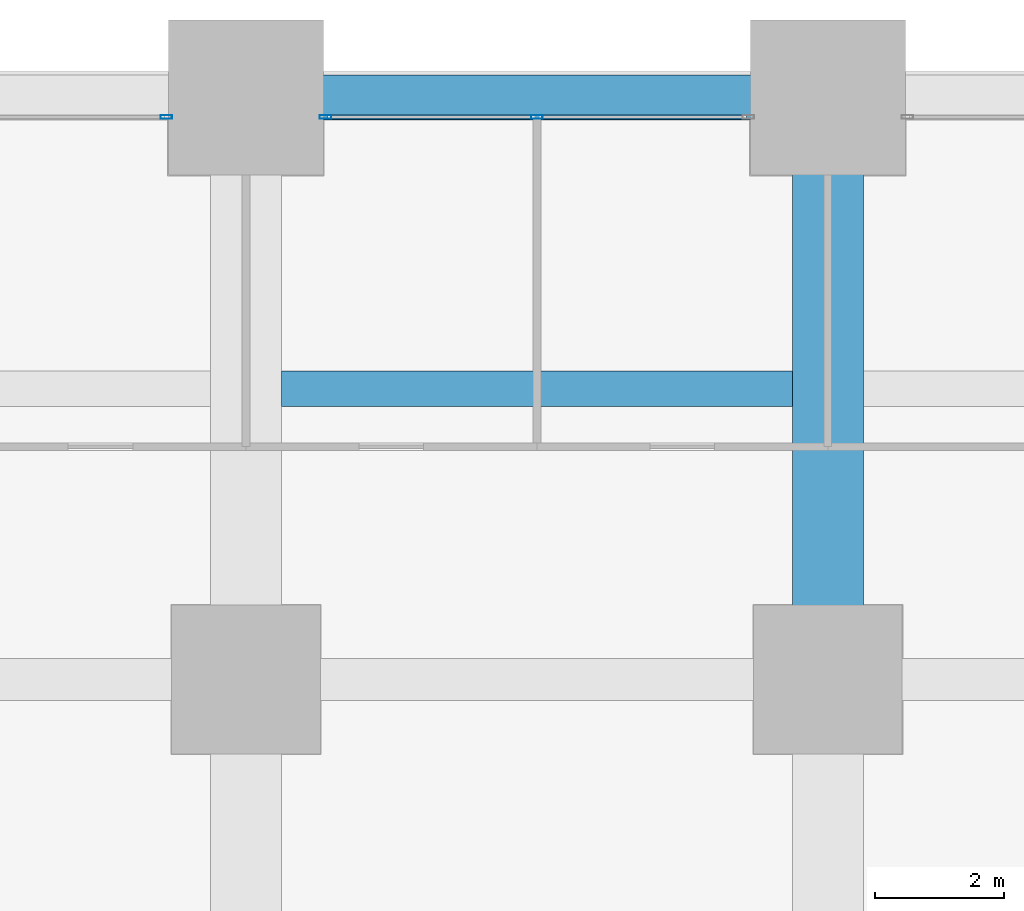
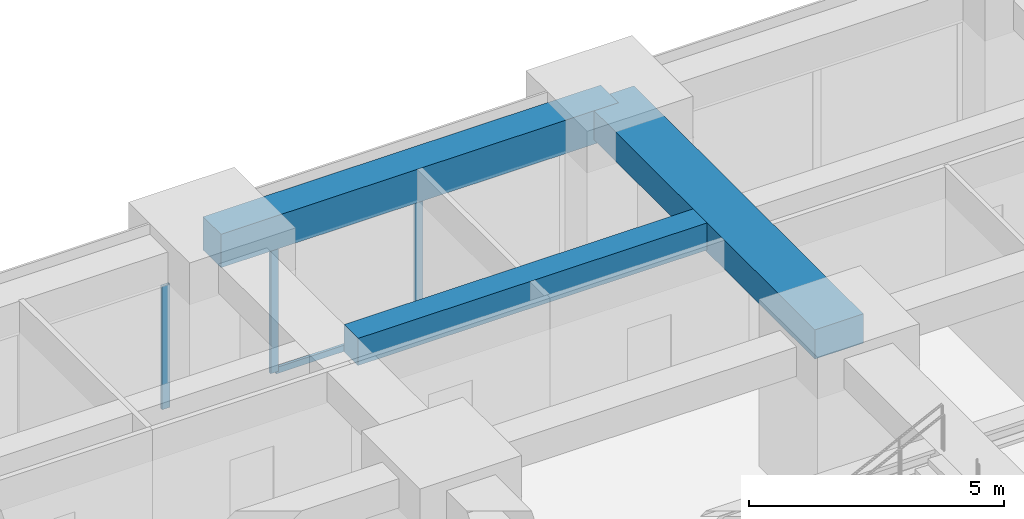
# One storey, part 29 of 45: 4 members, 3 beams, 2 elements without a shape of their own.
"""IFC4 building model written with IfcOpenShell, lengths in metres."""

from ifc_helpers import new_model, si_unit, direction, frame, origin, origin_2d, place, context, subcontext, project, spatial, rectangle, hollow_rectangle, extrude, material, material_profile, profile_set, type_object, element, aggregate, save


model = new_model("IFC4")

# Units and contexts
model_context = context("Model", 3, precision=1e-05, world=origin(), true_north=direction((0.0, 1.0)))
body_context = subcontext(model_context, "Body", "Model", "MODEL_VIEW")
ifc_project = project(units=[si_unit("LENGTHUNIT", "METRE"), si_unit("AREAUNIT", "SQUARE_METRE"), si_unit("VOLUMEUNIT", "CUBIC_METRE"), si_unit("PLANEANGLEUNIT", "RADIAN"), si_unit("MASSUNIT", "GRAM", prefix="KILO")], contexts=[model_context])

# Site, building, storey
site_placement = place(None, origin())
site = spatial("IfcSite", under=ifc_project, at=site_placement, CompositionType="ELEMENT")
building_placement = place(site_placement, origin())
building = spatial("IfcBuilding", under=site, at=building_placement, Name="Zorevar Civic Tower", CompositionType="ELEMENT")
storey_placement = place(building_placement, frame((0.0, 0.0, 39.800048828125)))
storey = spatial("IfcBuildingStorey", under=building, at=storey_placement, Name="L09", CompositionType="ELEMENT", Elevation=39.800048828125)

# Beams
ifc_material_1 = material(Name="Concrete C50/60", Category="concrete")
ifc_material_profile_1 = material_profile(ifc_material_1, rectangle(XDim=1.10009765625, YDim=0.699951171875, at=origin_2d()), Name="RC 1100x700")
ifc_profile_set_1 = profile_set([ifc_material_profile_1], Name="Concrete C50/60")
beam_type_1 = type_object("IfcBeamType", Name="Beam RC 1100x700", PredefinedType="BEAM", material=ifc_profile_set_1)
beam_1_placement = place(storey_placement, frame((27.0, 45.0, 3.39990234375), z_axis=(0.0, 1.0, 0.0), x_axis=(-1.0, 0.0, 0.0)))
element("IfcBeam", 1, at=beam_1_placement, inside=storey, type_object=beam_type_1, Name="Girder L10", PredefinedType="BEAM", context=body_context, shape_type="SweptSolid", body=[
    extrude(rectangle(XDim=1.10009765625, YDim=0.699951171875, at=origin_2d()), origin(), (0.0, 0.0, 1.0), 9.0),
])
ifc_material_2 = material(Name="Concrete C50/60", Category="concrete")
ifc_material_profile_2 = material_profile(ifc_material_2, rectangle(XDim=0.550048828125, YDim=0.64990234375, at=origin_2d()), Name="RC 550x650")
ifc_profile_set_2 = profile_set([ifc_material_profile_2], Name="Concrete C50/60")
beam_type_2 = type_object("IfcBeamType", Name="Beam RC 550x650", PredefinedType="BEAM", material=ifc_profile_set_2)
beam_2_placement = place(storey_placement, frame((18.550048828125, 49.5, 3.425048828125), z_axis=(1.0, 0.0, 0.0), x_axis=(0.0, 1.0, 0.0)))
element("IfcBeam", 2, at=beam_2_placement, inside=storey, type_object=beam_type_2, Name="Secondary beam L10", PredefinedType="BEAM", context=body_context, shape_type="SweptSolid", body=[
    extrude(rectangle(XDim=0.550048828125, YDim=0.64990234375, at=origin_2d()), origin(), (0.0, 0.0, 1.0), 7.89990234375),
])

# Curtain wall, member
ifc_material_3 = material(Name="Dark grey solar-control glass in black aluminium frame", Category="aluminium")
curtain_wall_type = type_object("IfcCurtainWallType", Name="Curtain wall CW2 low zone", PredefinedType="NOTDEFINED", material=ifc_material_3)
curtain_wall_1_placement = place(storey_placement, origin())
curtain_wall_1 = element("IfcCurtainWall", 3, at=curtain_wall_1_placement, inside=storey, type_object=curtain_wall_type, Name="CW2 L09", PredefinedType="NOTDEFINED")
ifc_material_4 = material(Name="Aluminium, black anodised", Category="aluminium")
ifc_material_profile_3 = material_profile(ifc_material_4, hollow_rectangle(XDim=0.06005859375, YDim=0.179931640625, WallThickness=0.00390625, at=origin_2d()), Name="AL 180x60x4")
ifc_profile_set_3 = profile_set([ifc_material_profile_3], Name="Aluminium, black anodised")
member_type_1 = type_object("IfcMemberType", Name="CW2 mullion AL 180x60x4", PredefinedType="MULLION", material=ifc_profile_set_3)
member_1_placement = place(storey_placement, frame((16.77001953125, 53.699951171875, 0.0), z_axis=(0.0, 0.0, 1.0), x_axis=(0.0, 1.0, 0.0)))
member_1 = element("IfcMember", 4, at=member_1_placement, type_object=member_type_1, Name="CW2 mullion 3", PredefinedType="MULLION", context=body_context, shape_type="SweptSolid", body=[
    extrude(hollow_rectangle(XDim=0.06005859375, YDim=0.179931640625, WallThickness=0.00390625, at=origin_2d()), origin(), (0.0, 0.0, 1.0), 2.949951171875),
])
aggregate(curtain_wall_1, [member_1])

# Curtain wall, members
curtain_wall_2_placement = place(storey_placement, origin())
curtain_wall_2 = element("IfcCurtainWall", 5, at=curtain_wall_2_placement, inside=storey, type_object=curtain_wall_type, Name="CW2 L09", PredefinedType="NOTDEFINED")
member_2_placement = place(storey_placement, frame((19.22998046875, 53.699951171875, 0.0), z_axis=(0.0, 0.0, 1.0), x_axis=(0.0, 1.0, 0.0)))
member_2 = element("IfcMember", 6, at=member_2_placement, type_object=member_type_1, Name="CW2 mullion 1", PredefinedType="MULLION", context=body_context, shape_type="SweptSolid", body=[
    extrude(hollow_rectangle(XDim=0.06005859375, YDim=0.179931640625, WallThickness=0.00390625, at=origin_2d()), origin(), (0.0, 0.0, 1.0), 2.949951171875),
])
member_3_placement = place(storey_placement, frame((22.5, 53.699951171875, 0.06005859375), z_axis=(0.0, 0.0, 1.0), x_axis=(0.0, 1.0, 0.0)))
member_3 = element("IfcMember", 7, at=member_3_placement, type_object=member_type_1, Name="CW2 mullion 2", PredefinedType="MULLION", context=body_context, shape_type="SweptSolid", body=[
    extrude(hollow_rectangle(XDim=0.06005859375, YDim=0.179931640625, WallThickness=0.00390625, at=origin_2d()), origin(), (0.0, 0.0, 1.0), 2.889892578125),
])
ifc_material_5 = material(Name="Aluminium, black anodised", Category="aluminium")
ifc_material_profile_4 = material_profile(ifc_material_5, hollow_rectangle(XDim=0.06005859375, YDim=0.14990234375, WallThickness=0.00390625, at=origin_2d()), Name="AL 150x60x4")
ifc_profile_set_4 = profile_set([ifc_material_profile_4], Name="Aluminium, black anodised")
member_type_2 = type_object("IfcMemberType", Name="CW2 transom AL 150x60x4", PredefinedType="USERDEFINED", material=ifc_profile_set_4)
member_4_placement = place(storey_placement, frame((19.260009765625, 53.699951171875, 0.030029296875), z_axis=(1.0, 0.0, 0.0), x_axis=(0.0, 1.0, 0.0)))
member_4 = element("IfcMember", 8, at=member_4_placement, type_object=member_type_2, Name="CW2 sill transom", ObjectType="TRANSOM", PredefinedType="USERDEFINED", context=body_context, shape_type="SweptSolid", body=[
    extrude(hollow_rectangle(XDim=0.06005859375, YDim=0.14990234375, WallThickness=0.00390625, at=origin_2d()), origin(), (0.0, 0.0, 1.0), 6.47998046875),
])
aggregate(curtain_wall_2, [member_2, member_3, member_4])

# Beam
ifc_material_6 = material(Name="Concrete C50/60", Category="concrete")
ifc_material_profile_5 = material_profile(ifc_material_6, rectangle(XDim=0.699951171875, YDim=0.800048828125, at=origin_2d()), Name="RC 700x800")
ifc_profile_set_5 = profile_set([ifc_material_profile_5], Name="Concrete C50/60")
beam_type_3 = type_object("IfcBeamType", Name="Edge beam RC 700x800", PredefinedType="SPANDREL", material=ifc_profile_set_5)
beam_3_placement = place(storey_placement, frame((18.0, 54.0, 3.349853515625), z_axis=(1.0, 0.0, 0.0), x_axis=(0.0, 1.0, 0.0)))
element("IfcBeam", 9, at=beam_3_placement, inside=storey, type_object=beam_type_3, Name="Edge beam L10", PredefinedType="SPANDREL", context=body_context, shape_type="SweptSolid", body=[
    extrude(rectangle(XDim=0.699951171875, YDim=0.800048828125, at=origin_2d()), origin(), (0.0, 0.0, 1.0), 9.0),
])

save(model, "model.ifc")
